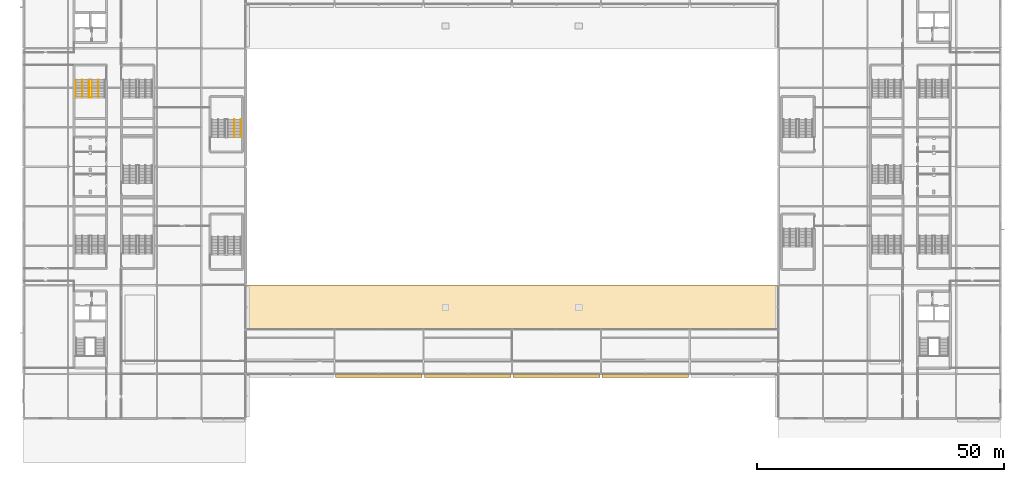
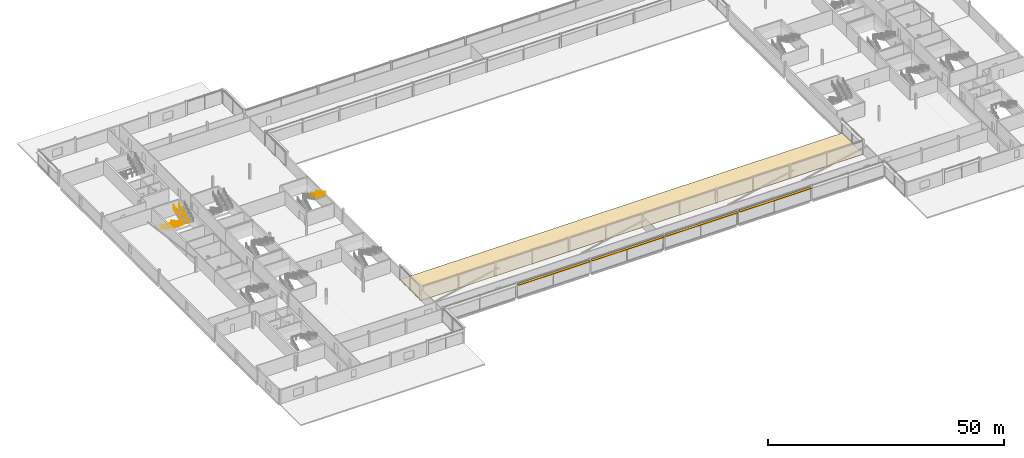
# One storey, part 98 of 105: 6 railings, 4 shading devices, 1 covering, 1 element without a shape of its own.
"""IFC4 building model written with IfcOpenShell, lengths in metres."""

import ifcopenshell
import ifcopenshell.guid

model = None  # the IFC model being written
_history = None  # IfcOwnerHistory: only IFC2X3 demands one
_inside = {}  # id of a spatial element -> (the spatial element, [elements in it])
_under = {}  # id of a project, library or spatial element -> (it, [spatial elements below it])
_declared = {}  # id of a project -> (the project, [libraries it declares])
_typed = {}  # id of a type object -> (the type object, [elements of that type])
_made_of = {}  # id of a material, layer set ... -> (it, [elements and type objects made of it])


def new_model(schema):
    """Start an empty IFC model of exactly this schema.

    Asked for "IFC4X3", IfcOpenShell would pick the latest addendum, in which some entities
    have other attributes; the version numbers below select the first issue.
    IFC2X3 requires an IfcOwnerHistory on every rooted entity: one is made here for all.
    """
    global model, _history
    if schema == "IFC4X3":
        model = ifcopenshell.file(schema_version=(4, 3, 0, 0))
    else:
        model = ifcopenshell.file(schema=schema)
    _inside.clear()
    _under.clear()
    _declared.clear()
    _typed.clear()
    _made_of.clear()
    _history = None
    if model.schema == "IFC2X3":
        org = make("IfcOrganization", Name="unknown")
        user = make(
            "IfcPersonAndOrganization",
            ThePerson=make("IfcPerson", FamilyName="unknown"),
            TheOrganization=org,
        )
        app = make(
            "IfcApplication",
            ApplicationDeveloper=org,
            Version="unknown",
            ApplicationFullName="unknown",
            ApplicationIdentifier="unknown",
        )
        _history = make(
            "IfcOwnerHistory",
            OwningUser=user,
            OwningApplication=app,
            ChangeAction="ADDED",
            CreationDate=0,
        )
    return model


def make(cls, **values):
    """One entity of the class cls with the attributes given. An attribute that is None is left unset."""
    return model.create_entity(
        cls, **{name: value for name, value in values.items() if value is not None}
    )


def rooted(cls, **values):
    """An entity with a GlobalId (a new one), such as an element, a storey or a relation."""
    return make(cls, GlobalId=ifcopenshell.guid.new(), OwnerHistory=_history, **values)


def si_unit(unit_type, name, prefix=None):
    """IfcSIUnit, for example si_unit("LENGTHUNIT", "METRE", prefix="MILLI")."""
    return make("IfcSIUnit", UnitType=unit_type, Prefix=prefix, Name=name)


def assignment(units):
    """IfcUnitAssignment: the units of a project."""
    return None if units is None else make("IfcUnitAssignment", Units=units)


def point(xyz):
    """IfcCartesianPoint."""
    return None if xyz is None else make("IfcCartesianPoint", Coordinates=xyz)


def direction(xyz):
    """IfcDirection."""
    return None if xyz is None else make("IfcDirection", DirectionRatios=xyz)


def frame(location, z_axis=None, x_axis=None):
    """IfcAxis2Placement3D, a coordinate frame: its origin and axes. An axis left out is left unset."""
    return make(
        "IfcAxis2Placement3D",
        Location=point(location),
        Axis=direction(z_axis),
        RefDirection=direction(x_axis),
    )


def frame_2d(location, x_axis=None):
    """IfcAxis2Placement2D, a coordinate frame in the plane: its origin and x axis."""
    return make(
        "IfcAxis2Placement2D", Location=point(location), RefDirection=direction(x_axis)
    )


def origin():
    """The frame at (0, 0, 0) with its axes left unset."""
    return frame((0.0, 0.0, 0.0))


def origin_2d():
    """The frame at (0, 0) in the plane with its x axis left unset."""
    return frame_2d((0.0, 0.0))


def place(relative_to, where):
    """IfcLocalPlacement: puts the frame where relative to a parent placement (None: the world)."""
    return make(
        "IfcLocalPlacement", PlacementRelTo=relative_to, RelativePlacement=where
    )


def context(
    kind, dimensions, precision=None, world=None, true_north=None, identifier=None
):
    """IfcGeometricRepresentationContext, for example the 3D "Model" context."""
    return make(
        "IfcGeometricRepresentationContext",
        ContextIdentifier=identifier,
        ContextType=kind,
        CoordinateSpaceDimension=dimensions,
        Precision=precision,
        WorldCoordinateSystem=world,
        TrueNorth=true_north,
    )


def subcontext(parent, identifier, kind, view, scale=None):
    """IfcGeometricRepresentationSubContext, for example "Body" below "Model"."""
    return make(
        "IfcGeometricRepresentationSubContext",
        ContextIdentifier=identifier,
        ContextType=kind,
        ParentContext=parent,
        TargetScale=scale,
        TargetView=view,
    )


def project(units=None, contexts=None):
    """IfcProject with its units and contexts."""
    return rooted(
        "IfcProject",
        Name="project",
        RepresentationContexts=contexts,
        UnitsInContext=assignment(units),
    )


def spatial(cls, under=None, at=None, **own):
    """A site, building, storey or space (cls), placed at a placement, below another one or the project."""
    s = rooted(cls, ObjectPlacement=at, **own)
    if under is not None:
        _under.setdefault(under.id(), (under, []))[1].append(s)
    return s


def polyline(points):
    """IfcPolyline through the points."""
    return make("IfcPolyline", Points=[point(p) for p in points])


def profile(cls, at=None, kind="AREA", **sizes):
    """A parametric profile (cls). Its sizes go by their IFC names, for example OverallWidth=200.0."""
    return make(cls, ProfileType=kind, Position=at, **sizes)


def rectangle(**sizes):
    """IfcRectangleProfileDef."""
    return profile("IfcRectangleProfileDef", **sizes)


def circle(**sizes):
    """IfcCircleProfileDef."""
    return profile("IfcCircleProfileDef", **sizes)


def outline(outer, holes=None, kind="AREA"):
    """IfcArbitraryClosedProfileDef: a profile drawn as a closed curve; with holes, ...WithVoids."""
    if holes is None:
        return make("IfcArbitraryClosedProfileDef", ProfileType=kind, OuterCurve=outer)
    return make(
        "IfcArbitraryProfileDefWithVoids",
        ProfileType=kind,
        OuterCurve=outer,
        InnerCurves=holes,
    )


def extrude(swept, where, along, depth):
    """IfcExtrudedAreaSolid: the profile swept, set in the frame where, extruded along a direction by depth."""
    return make(
        "IfcExtrudedAreaSolid",
        SweptArea=swept,
        Position=where,
        ExtrudedDirection=direction(along),
        Depth=depth,
    )


def shape(context_of_items, identifier, shape_type, items):
    """IfcShapeRepresentation: the items that make up one representation, for example the "Body"."""
    return make(
        "IfcShapeRepresentation",
        ContextOfItems=context_of_items,
        RepresentationIdentifier=identifier,
        RepresentationType=shape_type,
        Items=items,
    )


def material(Name=None, Category=None):
    """IfcMaterial."""
    return make("IfcMaterial", Name=Name, Category=Category)


def layer(
    of_material, thickness, ventilated=None, Name=None, Category=None, Priority=None
):
    """IfcMaterialLayer: one layer of a wall or slab, of a material (None: an air gap)."""
    return make(
        "IfcMaterialLayer",
        Material=of_material,
        LayerThickness=thickness,
        IsVentilated=ventilated,
        Name=Name,
        Category=Category,
        Priority=Priority,
    )


def layer_set(layers, Name=None):
    """IfcMaterialLayerSet."""
    return make("IfcMaterialLayerSet", MaterialLayers=layers, LayerSetName=Name)


def made_of(thing, what):
    """Note that an element or type object is made of a material, layer set ...; save() writes the relation."""
    if what is not None:
        _made_of.setdefault(what.id(), (what, []))[1].append(thing)
    return thing


def type_object(cls, material=None, **own):
    """A type object (cls), such as IfcWallType, which elements share."""
    return made_of(rooted(cls, **own), material)


def element(
    cls,
    number,
    at=None,
    inside=None,
    cuts=None,
    type_object=None,
    material=None,
    context=None,
    identifier="Body",
    shape_type=None,
    held_by="IfcProductDefinitionShape",
    body=None,
    shapes=None,
    **own,
):
    """One element of the class cls, such as IfcWall. Its Tag is "e" and its number.

    at: its placement. inside: the storey or other place that contains it. cuts: it is an
    opening in that element (IfcRelVoidsElement). A single representation is given by context,
    identifier, shape_type and body (its items); several are given by shapes. held_by: the class
    of the entity that holds the representations. save() writes the other relations.
    """
    e = rooted(cls, Tag="e%d" % number, ObjectPlacement=at, **own)
    if body is not None:
        shapes = [shape(context, identifier, shape_type, body)]
    if shapes is not None:
        e.Representation = make(held_by, Representations=shapes)
    if inside is not None:
        _inside.setdefault(inside.id(), (inside, []))[1].append(e)
    if cuts is not None:
        rooted(
            "IfcRelVoidsElement", RelatingBuildingElement=cuts, RelatedOpeningElement=e
        )
    if type_object is not None:
        _typed.setdefault(type_object.id(), (type_object, []))[1].append(e)
    return made_of(e, material)


def aggregate(whole, parts):
    """IfcRelAggregates: a whole, such as a stair, and the parts it consists of."""
    return rooted("IfcRelAggregates", RelatingObject=whole, RelatedObjects=parts)


def save(model, path):
    """Write the relations noted so far, then the file.

    IfcRelAggregates (storeys below a building ...), IfcRelContainedInSpatialStructure (elements
    in a storey), IfcRelDefinesByType, IfcRelAssociatesMaterial and IfcRelDeclares: one each for
    every whole, place, type object, material and project.
    """
    for whole, parts in _under.values():
        aggregate(whole, parts)
    for where, things in _inside.values():
        rooted(
            "IfcRelContainedInSpatialStructure",
            RelatedElements=things,
            RelatingStructure=where,
        )
    for kind, things in _typed.values():
        rooted("IfcRelDefinesByType", RelatedObjects=things, RelatingType=kind)
    for what, things in _made_of.values():
        rooted("IfcRelAssociatesMaterial", RelatedObjects=things, RelatingMaterial=what)
    for by, libraries in _declared.values():
        rooted("IfcRelDeclares", RelatingContext=by, RelatedDefinitions=libraries)
    model.write(path)


model = new_model("IFC4")

# Units and contexts
model_context = context("Model", 3, precision=1e-05, world=origin(), true_north=direction((0.0, 1.0)))
body_context = subcontext(model_context, "Body", "Model", "MODEL_VIEW")
ifc_project = project(units=[si_unit("LENGTHUNIT", "METRE"), si_unit("AREAUNIT", "SQUARE_METRE"), si_unit("VOLUMEUNIT", "CUBIC_METRE"), si_unit("PLANEANGLEUNIT", "RADIAN"), si_unit("MASSUNIT", "GRAM", prefix="KILO")], contexts=[model_context])

# Site, building, storey
site_placement = place(None, origin())
site = spatial("IfcSite", under=ifc_project, at=site_placement, CompositionType="ELEMENT")
building_placement = place(site_placement, origin())
building = spatial("IfcBuilding", under=site, at=building_placement, Name="Kisiwana Market Hall", CompositionType="ELEMENT")
storey_placement = place(building_placement, frame((0.0, 0.0, 21.60009765625)))
storey = spatial("IfcBuildingStorey", under=building, at=storey_placement, Name="L04", CompositionType="ELEMENT", Elevation=21.60009765625)

# Roof, covering
ifc_material_1 = material(Name="Concrete C32/40", Category="concrete")
ifc_layer_1 = layer(ifc_material_1, 0.22998046875)
ifc_layer_set_1 = layer_set([ifc_layer_1], Name="RF-CROWN-FLAT")
roof_type = type_object("IfcRoofType", Name="RF-CROWN-FLAT", PredefinedType="FLAT_ROOF", material=ifc_layer_set_1)
roof_placement = place(storey_placement, origin())
roof = element("IfcRoof", 1, at=roof_placement, inside=storey, type_object=roof_type, Name="Flat roof assembly RF-L03-SC", PredefinedType="FLAT_ROOF")
ifc_material_2 = material(Name="Aluminium alloy 3003 standing-seam sheet", Category="aluminium")
ifc_layer_2 = layer(ifc_material_2, 0.034912109375)
ifc_layer_set_2 = layer_set([ifc_layer_2], Name="COV-ROOF-SEAM")
covering_type = type_object("IfcCoveringType", Name="COV-ROOF-SEAM", PredefinedType="ROOFING", material=ifc_layer_set_2)
covering_placement = place(storey_placement, origin())
covering = element("IfcCovering", 2, at=covering_placement, type_object=covering_type, Name="Standing-seam roof membrane RF-L03-SC", PredefinedType="ROOFING", context=body_context, shape_type="SweptSolid", body=[
    extrude(outline(polyline([(45.0, 27.0), (153.0, 27.0), (153.0, 36.0), (45.0, 36.0), (45.0, 27.0)])), origin(), (0.0, 0.0, 1.0), 0.034912109375),
])
aggregate(roof, [covering])

# Railings
ifc_material_3 = material(Name="Steel S275", Category="steel")
railing_type_1 = type_object("IfcRailingType", Name="RL-GUARD-1100", PredefinedType="GUARDRAIL", material=ifc_material_3)
railing_1_placement = place(storey_placement, frame((13.219970703125, 77.639892578125, 0.0)))
element("IfcRailing", 3, at=railing_1_placement, inside=storey, type_object=railing_type_1, Name="Stair ST-W4-L04 inner-well guardrail (RL-773)", PredefinedType="GUARDRAIL", context=body_context, shape_type="SweptSolid", body=[
    extrude(circle(Radius=0.02392578125, at=origin_2d()), frame((0.0, 0.0, 1.076171875), z_axis=(0.0, -0.88255331184, 0.47021234752), x_axis=(1.0, 0.0, 0.0)), (0.0, 0.0, 1.0), 4.14697265625),
    extrude(circle(Radius=0.02392578125, at=origin_2d()), frame((0.0, -3.659912109375, 3.02587890625), z_axis=(1.0, 0.0, 0.0), x_axis=(0.0, 1.0, 0.0)), (0.0, 0.0, 1.0), 0.56005859375),
    extrude(circle(Radius=0.02392578125, at=origin_2d()), frame((0.56005859375, -3.659912109375, 3.02587890625), z_axis=(0.0, 0.88255331184, 0.47021234752), x_axis=(-1.0, 0.0, 0.0)), (0.0, 0.0, 1.0), 4.14697265625),
    extrude(circle(Radius=0.02099609375, at=origin_2d()), origin(), (0.0, 0.0, 1.0), 1.052001953125),
    extrude(circle(Radius=0.02099609375, at=origin_2d()), frame((0.0, -0.9150390625, 0.487548828125)), (0.0, 0.0, 1.0), 1.052001953125),
    extrude(circle(Radius=0.02099609375, at=origin_2d()), frame((0.0, -1.830078125, 0.97509765625)), (0.0, 0.0, 1.0), 1.052001953125),
    extrude(circle(Radius=0.02099609375, at=origin_2d()), frame((0.0, -2.744873046875, 1.46240234375)), (0.0, 0.0, 1.0), 1.052001953125),
    extrude(circle(Radius=0.02099609375, at=origin_2d()), frame((0.0, -3.659912109375, 1.949951171875)), (0.0, 0.0, 1.0), 1.052001953125),
    extrude(circle(Radius=0.02099609375, at=origin_2d()), frame((0.56005859375, -3.659912109375, 1.949951171875)), (0.0, 0.0, 1.0), 1.052001953125),
    extrude(circle(Radius=0.02099609375, at=origin_2d()), frame((0.56005859375, -2.744873046875, 2.4375)), (0.0, 0.0, 1.0), 1.052001953125),
    extrude(circle(Radius=0.02099609375, at=origin_2d()), frame((0.56005859375, -1.830078125, 2.9248046875)), (0.0, 0.0, 1.0), 1.052001953125),
    extrude(circle(Radius=0.02099609375, at=origin_2d()), frame((0.56005859375, -0.9150390625, 3.412353515625)), (0.0, 0.0, 1.0), 1.052001953125),
    extrude(circle(Radius=0.02099609375, at=origin_2d()), frame((0.56005859375, 0.0, 3.89990234375)), (0.0, 0.0, 1.0), 1.052001953125),
])
ifc_material_4 = material(Name="Steel S275", Category="steel")
railing_type_2 = type_object("IfcRailingType", Name="RL-HAND-900", PredefinedType="HANDRAIL", material=ifc_material_4)
for number, where, name in (
    (4, (10.570068359375, 77.639892578125, 0.0), "Stair ST-W4-L04 flight 1 handrail (RL-774)"),
    (5, (11.889892578125, 77.639892578125, 0.0), "Stair ST-W4-L04 flight 1 intermediate handrail (RL-776)"),
):
    element("IfcRailing", number, at=place(storey_placement, frame(where)), inside=storey, type_object=railing_type_2, Name=name, PredefinedType="HANDRAIL", context=body_context, shape_type="SweptSolid", body=[
        extrude(circle(Radius=0.02392578125, at=origin_2d()), frame((0.0, 0.0, 0.8759765625), z_axis=(0.0, -0.88255331184, 0.47021234752), x_axis=(1.0, 0.0, 0.0)), (0.0, 0.0, 1.0), 4.14697265625),
        extrude(circle(Radius=0.02099609375, at=origin_2d()), origin(), (0.0, 0.0, 1.0), 0.851806640625),
        extrude(circle(Radius=0.02099609375, at=origin_2d()), frame((0.0, -0.9150390625, 0.487548828125)), (0.0, 0.0, 1.0), 0.851806640625),
        extrude(circle(Radius=0.02099609375, at=origin_2d()), frame((0.0, -1.830078125, 0.97509765625)), (0.0, 0.0, 1.0), 0.851806640625),
        extrude(circle(Radius=0.02099609375, at=origin_2d()), frame((0.0, -2.744873046875, 1.46240234375)), (0.0, 0.0, 1.0), 0.851806640625),
        extrude(circle(Radius=0.02099609375, at=origin_2d()), frame((0.0, -3.659912109375, 1.949951171875)), (0.0, 0.0, 1.0), 0.851806640625),
    ])
railing_2_placement = place(storey_placement, frame((15.110107421875, 73.97998046875, 1.949951171875)))
element("IfcRailing", 6, at=railing_2_placement, inside=storey, type_object=railing_type_2, Name="Stair ST-W4-L04 flight 2 intermediate handrail (RL-777)", PredefinedType="HANDRAIL", context=body_context, shape_type="SweptSolid", body=[
    extrude(circle(Radius=0.02392578125, at=origin_2d()), frame((0.0, 0.0, 0.8759765625), z_axis=(0.0, 0.88255331184, 0.47021234752), x_axis=(-1.0, 0.0, 0.0)), (0.0, 0.0, 1.0), 4.14697265625),
    extrude(circle(Radius=0.02099609375, at=origin_2d()), origin(), (0.0, 0.0, 1.0), 0.851806640625),
    extrude(circle(Radius=0.02099609375, at=origin_2d()), frame((0.0, 0.9150390625, 0.487548828125)), (0.0, 0.0, 1.0), 0.851806640625),
    extrude(circle(Radius=0.02099609375, at=origin_2d()), frame((0.0, 1.830078125, 0.97509765625)), (0.0, 0.0, 1.0), 0.851806640625),
    extrude(circle(Radius=0.02099609375, at=origin_2d()), frame((0.0, 2.744873046875, 1.46240234375)), (0.0, 0.0, 1.0), 0.851806640625),
    extrude(circle(Radius=0.02099609375, at=origin_2d()), frame((0.0, 3.659912109375, 1.949951171875)), (0.0, 0.0, 1.0), 0.851806640625),
])
for number, where, name in (
    (7, (44.0, 69.6201171875, 1.949951171875), "Stair ST-W10-L04 flight 2 handrail (RL-829)"),
    (8, (42.679931640625, 69.6201171875, 1.949951171875), "Stair ST-W10-L04 flight 2 intermediate handrail (RL-831)"),
):
    element("IfcRailing", number, at=place(storey_placement, frame(where)), inside=storey, type_object=railing_type_2, Name=name, PredefinedType="HANDRAIL", context=body_context, shape_type="SweptSolid", body=[
        extrude(circle(Radius=0.02392578125, at=origin_2d()), frame((0.0, 0.0, 0.8759765625), z_axis=(0.0, -0.882566327451, 0.470187917379), x_axis=(1.0, 0.0, 0.0)), (0.0, 0.0, 1.0), 4.147216796875),
        extrude(circle(Radius=0.02099609375, at=origin_2d()), origin(), (0.0, 0.0, 1.0), 0.851806640625),
        extrude(circle(Radius=0.02099609375, at=origin_2d()), frame((0.0, -0.9150390625, 0.487548828125)), (0.0, 0.0, 1.0), 0.851806640625),
        extrude(circle(Radius=0.02099609375, at=origin_2d()), frame((0.0, -1.830078125, 0.97509765625)), (0.0, 0.0, 1.0), 0.851806640625),
        extrude(circle(Radius=0.02099609375, at=origin_2d()), frame((0.0, -2.7451171875, 1.46240234375)), (0.0, 0.0, 1.0), 0.851806640625),
        extrude(circle(Radius=0.02099609375, at=origin_2d()), frame((0.0, -3.66015625, 1.949951171875)), (0.0, 0.0, 1.0), 0.851806640625),
    ])

# Shading devices
ifc_material_5 = material(Name="Aluminium alloy 6063-T6", Category="aluminium")
shading_device_type = type_object("IfcShadingDeviceType", Name="SHD-JALOUSIE-H", PredefinedType="JALOUSIE", material=ifc_material_5)
for number, where, z_axis, x_axis, name in (
    (9, (72.0, 17.580078125, 3.40478515625), (0.0, 0.0, 1.0), (1.0, 0.0, 0.0), "Aluminium brise-soleil louvre SHD-075 SD-075"),
    (10, (90.0, 17.580078125, 3.40478515625), (0.0, 0.0, 1.0), (1.0, 0.0, 0.0), "Aluminium brise-soleil louvre SHD-076 SD-076"),
    (11, (108.0, 17.580078125, 3.40478515625), (0.0, 0.0, 1.0), (1.0, 0.0, 0.0), "Aluminium brise-soleil louvre SHD-077 SD-077"),
    (12, (126.0, 17.580078125, 3.40478515625), (0.0, 0.0, 1.0), (1.0, 0.0, 0.0), "Aluminium brise-soleil louvre SHD-078 SD-078"),
):
    element("IfcShadingDevice", number, at=place(storey_placement, frame(where, z_axis=z_axis, x_axis=x_axis)), inside=storey, type_object=shading_device_type, Name=name, PredefinedType="JALOUSIE", context=body_context, shape_type="SweptSolid", body=[
        extrude(rectangle(XDim=17.550048828125, YDim=0.64990234375, at=origin_2d()), origin(), (0.0, 0.0, 1.0), 0.1201171875),
    ])

save(model, "model.ifc")
